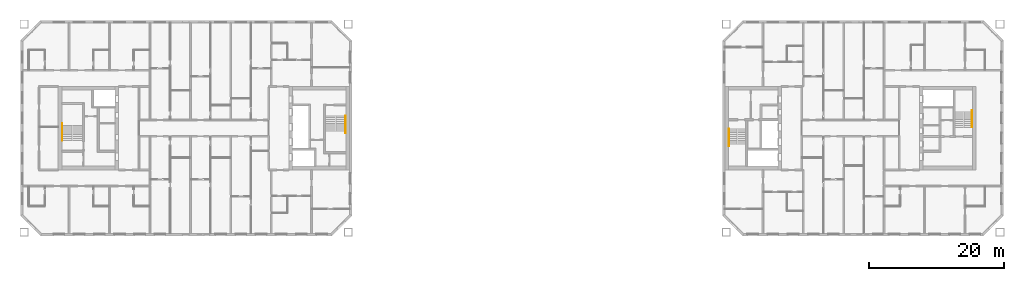
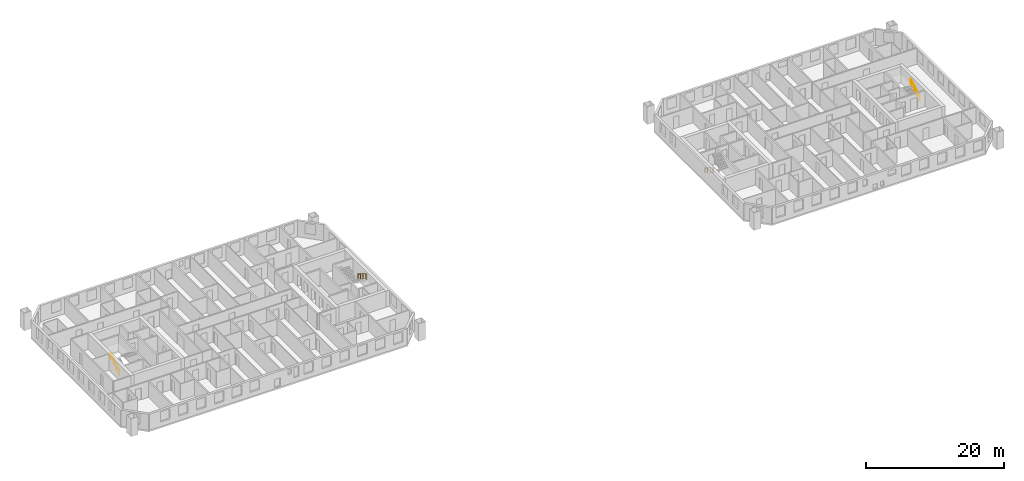
# One storey, part 16 of 16: 4 railings.
"""IFC4 building model written with IfcOpenShell, lengths in metres."""

from ifc_helpers import new_model, si_unit, direction, frame, origin, origin_2d, place, context, subcontext, project, spatial, circle, extrude, material, type_object, element, save


model = new_model("IFC4")

# Units and contexts
model_context = context("Model", 3, precision=1e-05, world=origin(), true_north=direction((0.0, 1.0)))
body_context = subcontext(model_context, "Body", "Model", "MODEL_VIEW")
ifc_project = project(units=[si_unit("LENGTHUNIT", "METRE"), si_unit("AREAUNIT", "SQUARE_METRE"), si_unit("VOLUMEUNIT", "CUBIC_METRE"), si_unit("PLANEANGLEUNIT", "RADIAN"), si_unit("MASSUNIT", "GRAM", prefix="KILO")], contexts=[model_context])

# Site, building, storey
site_placement = place(None, origin())
site = spatial("IfcSite", under=ifc_project, at=site_placement, CompositionType="ELEMENT")
building_placement = place(site_placement, origin())
building = spatial("IfcBuilding", under=site, at=building_placement, Name="Tuart Gate Housing", CompositionType="ELEMENT")
storey_placement = place(building_placement, frame((0.0, 0.0, 139.199951171875)))
storey = spatial("IfcBuildingStorey", under=building, at=storey_placement, Name="L39", CompositionType="ELEMENT", Elevation=139.199951171875)

# Railings
ifc_material = material(Name="Stainless steel", Category="steel")
railing_type = type_object("IfcRailingType", Name="Stair handrail 900", PredefinedType="HANDRAIL", material=ifc_material)
railing_1_placement = place(storey_placement, frame((75.030029296875, 71.824951171875, 0.17236328125)))
element("IfcRailing", 1, at=railing_1_placement, inside=storey, type_object=railing_type, Name="Stair handrail SA1.1", PredefinedType="HANDRAIL", context=body_context, shape_type="SweptSolid", body=[
    extrude(circle(Radius=0.02392578125, at=origin_2d()), frame((0.0, 0.0, 0.8759765625), z_axis=(0.0, -0.85178898068, 0.523885037382), x_axis=(1.0, 0.0, 0.0)), (0.0, 0.0, 1.0), 2.629638671875),
    extrude(circle(Radius=0.02392578125, at=origin_2d()), frame((0.0, -2.239990234375, 2.25341796875), z_axis=(0.0, -1.0, 0.0), x_axis=(1.0, 0.0, 0.0)), (0.0, 0.0, 1.0), 0.300048828125),
    extrude(circle(Radius=0.02099609375, at=origin_2d()), origin(), (0.0, 0.0, 1.0), 0.851806640625),
    extrude(circle(Radius=0.02099609375, at=origin_2d()), frame((0.0, -0.74658203125, 0.459228515625)), (0.0, 0.0, 1.0), 0.851806640625),
    extrude(circle(Radius=0.02099609375, at=origin_2d()), frame((0.0, -1.493408203125, 0.91845703125)), (0.0, 0.0, 1.0), 0.851806640625),
    extrude(circle(Radius=0.02099609375, at=origin_2d()), frame((0.0, -2.239990234375, 1.377685546875)), (0.0, 0.0, 1.0), 0.851806640625),
    extrude(circle(Radius=0.02099609375, at=origin_2d()), frame((0.0, -2.5400390625, 1.377685546875)), (0.0, 0.0, 1.0), 0.851806640625),
])
railing_2_placement = place(storey_placement, frame((32.969970703125, 68.175048828125, 0.17236328125)))
element("IfcRailing", 2, at=railing_2_placement, inside=storey, type_object=railing_type, Name="Stair handrail SA2.1", PredefinedType="HANDRAIL", context=body_context, shape_type="SweptSolid", body=[
    extrude(circle(Radius=0.02392578125, at=origin_2d()), frame((0.0, 0.0, 0.8759765625), z_axis=(0.0, 0.85178898068, 0.523885037382), x_axis=(-1.0, 0.0, 0.0)), (0.0, 0.0, 1.0), 2.629638671875),
    extrude(circle(Radius=0.02392578125, at=origin_2d()), frame((0.0, 2.239990234375, 2.25341796875), z_axis=(0.0, 1.0, 0.0), x_axis=(-1.0, 0.0, 0.0)), (0.0, 0.0, 1.0), 0.300048828125),
    extrude(circle(Radius=0.02099609375, at=origin_2d()), origin(), (0.0, 0.0, 1.0), 0.851806640625),
    extrude(circle(Radius=0.02099609375, at=origin_2d()), frame((0.0, 0.74658203125, 0.459228515625)), (0.0, 0.0, 1.0), 0.851806640625),
    extrude(circle(Radius=0.02099609375, at=origin_2d()), frame((0.0, 1.493408203125, 0.91845703125)), (0.0, 0.0, 1.0), 0.851806640625),
    extrude(circle(Radius=0.02099609375, at=origin_2d()), frame((0.0, 2.239990234375, 1.377685546875)), (0.0, 0.0, 1.0), 0.851806640625),
    extrude(circle(Radius=0.02099609375, at=origin_2d()), frame((0.0, 2.5400390625, 1.377685546875)), (0.0, 0.0, 1.0), 0.851806640625),
])
railing_3_placement = place(storey_placement, frame((131.969970703125, 69.875, 0.17236328125)))
element("IfcRailing", 3, at=railing_3_placement, inside=storey, type_object=railing_type, Name="Stair handrail SB1.1", PredefinedType="HANDRAIL", context=body_context, shape_type="SweptSolid", body=[
    extrude(circle(Radius=0.02392578125, at=origin_2d()), frame((0.0, 0.0, 0.8759765625), z_axis=(0.0, -0.85178898068, 0.523885037382), x_axis=(1.0, 0.0, 0.0)), (0.0, 0.0, 1.0), 2.629638671875),
    extrude(circle(Radius=0.02392578125, at=origin_2d()), frame((0.0, -2.239990234375, 2.25341796875), z_axis=(0.0, -1.0, 0.0), x_axis=(1.0, 0.0, 0.0)), (0.0, 0.0, 1.0), 0.300048828125),
    extrude(circle(Radius=0.02099609375, at=origin_2d()), origin(), (0.0, 0.0, 1.0), 0.851806640625),
    extrude(circle(Radius=0.02099609375, at=origin_2d()), frame((0.0, -0.74658203125, 0.459228515625)), (0.0, 0.0, 1.0), 0.851806640625),
    extrude(circle(Radius=0.02099609375, at=origin_2d()), frame((0.0, -1.493408203125, 0.91845703125)), (0.0, 0.0, 1.0), 0.851806640625),
    extrude(circle(Radius=0.02099609375, at=origin_2d()), frame((0.0, -2.239990234375, 1.377685546875)), (0.0, 0.0, 1.0), 0.851806640625),
    extrude(circle(Radius=0.02099609375, at=origin_2d()), frame((0.0, -2.5400390625, 1.377685546875)), (0.0, 0.0, 1.0), 0.851806640625),
])
railing_4_placement = place(storey_placement, frame((168.030029296875, 70.125, 0.17236328125)))
element("IfcRailing", 4, at=railing_4_placement, inside=storey, type_object=railing_type, Name="Stair handrail SB2.1", PredefinedType="HANDRAIL", context=body_context, shape_type="SweptSolid", body=[
    extrude(circle(Radius=0.02392578125, at=origin_2d()), frame((0.0, 0.0, 0.8759765625), z_axis=(0.0, 0.85178898068, 0.523885037382), x_axis=(-1.0, 0.0, 0.0)), (0.0, 0.0, 1.0), 2.629638671875),
    extrude(circle(Radius=0.02392578125, at=origin_2d()), frame((0.0, 2.239990234375, 2.25341796875), z_axis=(0.0, 1.0, 0.0), x_axis=(-1.0, 0.0, 0.0)), (0.0, 0.0, 1.0), 0.300048828125),
    extrude(circle(Radius=0.02099609375, at=origin_2d()), origin(), (0.0, 0.0, 1.0), 0.851806640625),
    extrude(circle(Radius=0.02099609375, at=origin_2d()), frame((0.0, 0.74658203125, 0.459228515625)), (0.0, 0.0, 1.0), 0.851806640625),
    extrude(circle(Radius=0.02099609375, at=origin_2d()), frame((0.0, 1.493408203125, 0.91845703125)), (0.0, 0.0, 1.0), 0.851806640625),
    extrude(circle(Radius=0.02099609375, at=origin_2d()), frame((0.0, 2.239990234375, 1.377685546875)), (0.0, 0.0, 1.0), 0.851806640625),
    extrude(circle(Radius=0.02099609375, at=origin_2d()), frame((0.0, 2.5400390625, 1.377685546875)), (0.0, 0.0, 1.0), 0.851806640625),
])

save(model, "model.ifc")
